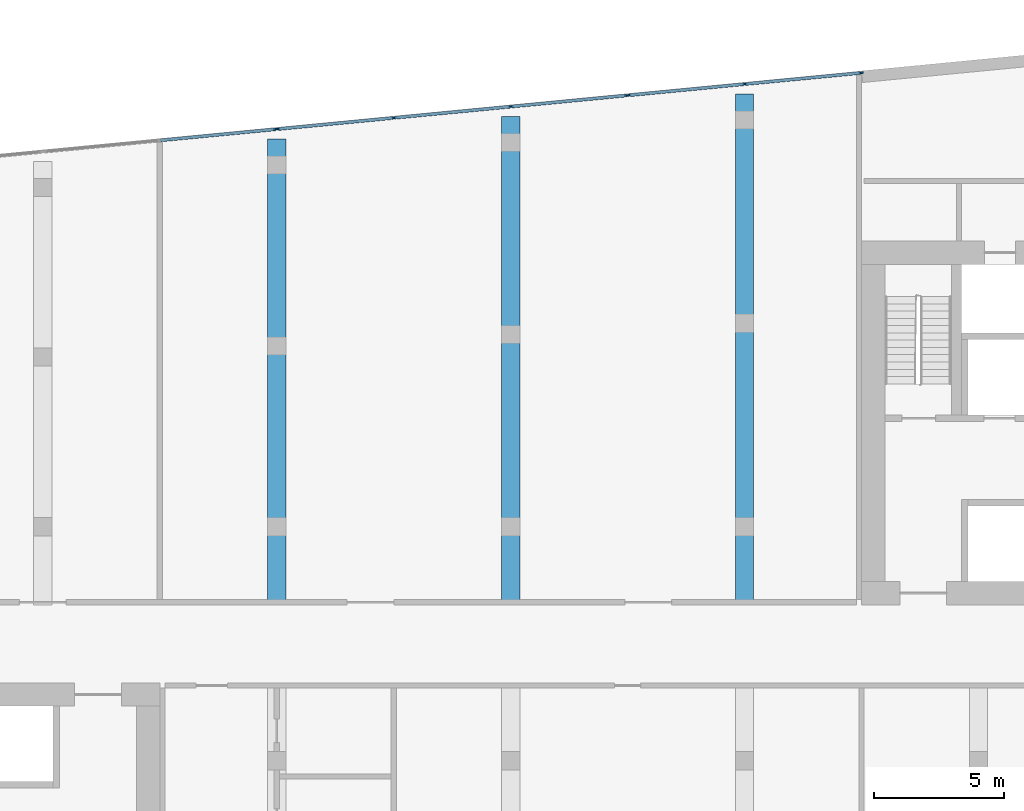
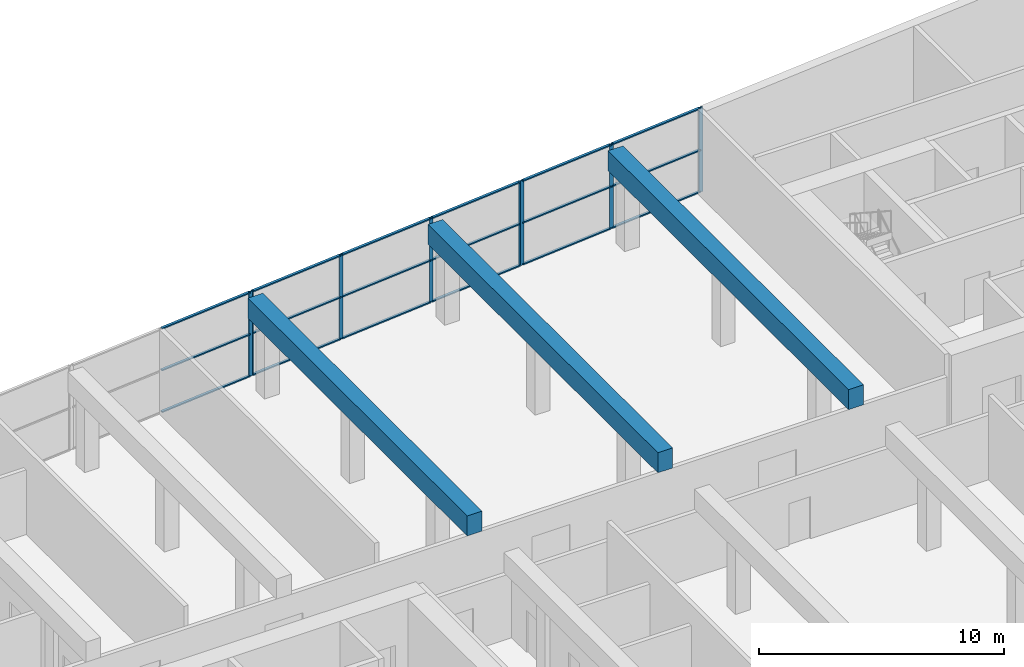
# One storey, part 7 of 21: 26 members, 3 beams, 3 elements without a shape of their own.
"""IFC4 building model written with IfcOpenShell, lengths in metres."""

from ifc_helpers import new_model, si_unit, direction, frame, origin, origin_2d, place, context, subcontext, project, spatial, rectangle, extrude, material, material_profile, profile_set, type_object, element, aggregate, save


model = new_model("IFC4")

# Units and contexts
model_context = context("Model", 3, precision=1e-05, world=origin(), true_north=direction((0.0, 1.0)))
body_context = subcontext(model_context, "Body", "Model", "MODEL_VIEW")
ifc_project = project(units=[si_unit("LENGTHUNIT", "METRE"), si_unit("AREAUNIT", "SQUARE_METRE"), si_unit("VOLUMEUNIT", "CUBIC_METRE"), si_unit("PLANEANGLEUNIT", "RADIAN"), si_unit("MASSUNIT", "GRAM", prefix="KILO")], contexts=[model_context])

# Site, building, storey
site_placement = place(None, origin())
site = spatial("IfcSite", under=ifc_project, at=site_placement, CompositionType="ELEMENT")
building_placement = place(site_placement, origin())
building = spatial("IfcBuilding", under=site, at=building_placement, Name="Kajstack Hotel Tower", CompositionType="ELEMENT")
storey_placement = place(building_placement, frame((0.0, 0.0, 162.39990234375)))
storey = spatial("IfcBuildingStorey", under=building, at=storey_placement, Name="L37", CompositionType="ELEMENT", Elevation=162.39990234375)

# Curtain wall, members
ifc_material_1 = material(Name="Aluminium-framed curtain wall, insulated glass with fritted edge", Category="aluminium")
curtain_wall_type = type_object("IfcCurtainWallType", Name="CW-SPA", PredefinedType="NOTDEFINED", material=ifc_material_1)
curtain_wall_1_placement = place(storey_placement, origin())
curtain_wall_1 = element("IfcCurtainWall", 1, at=curtain_wall_1_placement, inside=storey, type_object=curtain_wall_type, Name="Curtain wall CU7 L37-12-02-0", PredefinedType="NOTDEFINED")
ifc_material_2 = material(Name="Aluminium", Category="aluminium")
ifc_material_profile_1 = material_profile(ifc_material_2, rectangle(XDim=0.06005859375, YDim=0.179931640625, at=origin_2d()), Name="Aluminium mullion 60 x 180")
ifc_profile_set_1 = profile_set([ifc_material_profile_1], Name="Aluminium")
member_type_1 = type_object("IfcMemberType", Name="CW-M-SPA", PredefinedType="MULLION", material=ifc_profile_set_1)
member_1_placement = place(storey_placement, frame((13.477294921875, 21.9638671875, 0.0), z_axis=(0.0, 0.0, 1.0), x_axis=(0.095845332373, -0.995396238823, 0.0)))
member_1 = element("IfcMember", 2, at=member_1_placement, type_object=member_type_1, Name="CU7 mullion 1", PredefinedType="MULLION", context=body_context, shape_type="SweptSolid", body=[
    extrude(rectangle(XDim=0.06005859375, YDim=0.179931640625, at=origin_2d()), origin(), (0.0, 0.0, 1.0), 4.22021484375),
])
member_2_placement = place(storey_placement, frame((9.007080078125, 21.533447265625, 0.0), z_axis=(0.0, 0.0, 1.0), x_axis=(0.095845332373, -0.995396238823, 0.0)))
member_2 = element("IfcMember", 3, at=member_2_placement, type_object=member_type_1, Name="CU7 mullion 2", PredefinedType="MULLION", context=body_context, shape_type="SweptSolid", body=[
    extrude(rectangle(XDim=0.06005859375, YDim=0.179931640625, at=origin_2d()), origin(), (0.0, 0.0, 1.0), 4.22021484375),
])
member_3_placement = place(storey_placement, frame((4.537109375, 21.10302734375, 0.0), z_axis=(0.0, 0.0, 1.0), x_axis=(0.095845332373, -0.995396238823, 0.0)))
member_3 = element("IfcMember", 4, at=member_3_placement, type_object=member_type_1, Name="CU7 mullion 3", PredefinedType="MULLION", context=body_context, shape_type="SweptSolid", body=[
    extrude(rectangle(XDim=0.06005859375, YDim=0.179931640625, at=origin_2d()), origin(), (0.0, 0.0, 1.0), 4.22021484375),
])

curtain_wall_2_placement = place(storey_placement, origin())
curtain_wall_2 = element("IfcCurtainWall", 5, at=curtain_wall_2_placement, inside=storey, type_object=curtain_wall_type, Name="Curtain wall CU7 L37-12-02-1", PredefinedType="NOTDEFINED")
member_4_placement = place(storey_placement, frame((4.477294921875, 21.097412109375, 0.0), z_axis=(0.0, 0.0, 1.0), x_axis=(0.095845372418, -0.995396234967, 0.0)))
member_4 = element("IfcMember", 6, at=member_4_placement, type_object=member_type_1, Name="CU7 mullion 1", PredefinedType="MULLION", context=body_context, shape_type="SweptSolid", body=[
    extrude(rectangle(XDim=0.06005859375, YDim=0.179931640625, at=origin_2d()), origin(), (0.0, 0.0, 1.0), 4.22021484375),
])
member_5_placement = place(storey_placement, frame((0.007080078125, 20.6669921875, 0.0), z_axis=(0.0, 0.0, 1.0), x_axis=(0.095845372418, -0.995396234967, 0.0)))
member_5 = element("IfcMember", 7, at=member_5_placement, type_object=member_type_1, Name="CU7 mullion 2", PredefinedType="MULLION", context=body_context, shape_type="SweptSolid", body=[
    extrude(rectangle(XDim=0.06005859375, YDim=0.179931640625, at=origin_2d()), origin(), (0.0, 0.0, 1.0), 4.22021484375),
])
member_6_placement = place(storey_placement, frame((-4.49267578125, 20.233642578125, 0.0), z_axis=(0.0, 0.0, 1.0), x_axis=(0.095845372418, -0.995396234967, 0.0)))
member_6 = element("IfcMember", 8, at=member_6_placement, type_object=member_type_1, Name="CU7 mullion 3", PredefinedType="MULLION", context=body_context, shape_type="SweptSolid", body=[
    extrude(rectangle(XDim=0.06005859375, YDim=0.179931640625, at=origin_2d()), origin(), (0.0, 0.0, 1.0), 4.22021484375),
])
member_7_placement = place(storey_placement, frame((-8.962890625, 19.80322265625, 0.0), z_axis=(0.0, 0.0, 1.0), x_axis=(0.095845372418, -0.995396234967, 0.0)))
member_7 = element("IfcMember", 9, at=member_7_placement, type_object=member_type_1, Name="CU7 mullion 4", PredefinedType="MULLION", context=body_context, shape_type="SweptSolid", body=[
    extrude(rectangle(XDim=0.06005859375, YDim=0.179931640625, at=origin_2d()), origin(), (0.0, 0.0, 1.0), 4.22021484375),
])

# Curtain wall, member
curtain_wall_3_placement = place(storey_placement, origin())
curtain_wall_3 = element("IfcCurtainWall", 10, at=curtain_wall_3_placement, inside=storey, type_object=curtain_wall_type, Name="Curtain wall CU7 L37-12-02-2", PredefinedType="NOTDEFINED")
member_8_placement = place(storey_placement, frame((-9.022705078125, 19.79736328125, 0.0), z_axis=(0.0, 0.0, 1.0), x_axis=(0.095845342936, -0.995396237806, 0.0)))
member_8 = element("IfcMember", 11, at=member_8_placement, type_object=member_type_1, Name="CU7 mullion 1", PredefinedType="MULLION", context=body_context, shape_type="SweptSolid", body=[
    extrude(rectangle(XDim=0.06005859375, YDim=0.179931640625, at=origin_2d()), origin(), (0.0, 0.0, 1.0), 4.22021484375),
])

# Member
ifc_material_profile_2 = material_profile(ifc_material_2, rectangle(XDim=0.1201171875, YDim=0.06005859375, at=origin_2d()), Name="Aluminium transom 120 x 60")
ifc_profile_set_2 = profile_set([ifc_material_profile_2], Name="Aluminium")
member_type_2 = type_object("IfcMemberType", Name="CW-T-SPA", PredefinedType="USERDEFINED", material=ifc_profile_set_2)
member_9_placement = place(storey_placement, frame((13.447509765625, 21.9609375, 0.030029296875), z_axis=(-0.995398624916, -0.095820548504, 0.0), x_axis=(0.095820548504, -0.995398624916, 0.0)))
member_9 = element("IfcMember", 12, at=member_9_placement, type_object=member_type_2, Name="CU7 transom 1.1", ObjectType="TRANSOM", PredefinedType="USERDEFINED", context=body_context, shape_type="SweptSolid", body=[
    extrude(rectangle(XDim=0.1201171875, YDim=0.06005859375, at=origin_2d()), origin(), (0.0, 0.0, 1.0), 4.430908203125),
])

member_10_placement = place(storey_placement, frame((13.447509765625, 21.9609375, 2.110107421875), z_axis=(-0.995398624916, -0.095820548504, 0.0), x_axis=(0.095820548504, -0.995398624916, 0.0)))
member_10 = element("IfcMember", 13, at=member_10_placement, type_object=member_type_2, Name="CU7 transom 1.2", ObjectType="TRANSOM", PredefinedType="USERDEFINED", context=body_context, shape_type="SweptSolid", body=[
    extrude(rectangle(XDim=0.1201171875, YDim=0.06005859375, at=origin_2d()), origin(), (0.0, 0.0, 1.0), 4.430908203125),
])

member_11_placement = place(storey_placement, frame((13.447509765625, 21.9609375, 4.190185546875), z_axis=(-0.995398624916, -0.095820548504, 0.0), x_axis=(0.095820548504, -0.995398624916, 0.0)))
member_11 = element("IfcMember", 14, at=member_11_placement, type_object=member_type_2, Name="CU7 transom 1.3", ObjectType="TRANSOM", PredefinedType="USERDEFINED", context=body_context, shape_type="SweptSolid", body=[
    extrude(rectangle(XDim=0.1201171875, YDim=0.06005859375, at=origin_2d()), origin(), (0.0, 0.0, 1.0), 4.430908203125),
])

member_12_placement = place(storey_placement, frame((8.977294921875, 21.530517578125, 0.030029296875), z_axis=(-0.995398624916, -0.095820548504, 0.0), x_axis=(0.095820548504, -0.995398624916, 0.0)))
member_12 = element("IfcMember", 15, at=member_12_placement, type_object=member_type_2, Name="CU7 transom 2.1", ObjectType="TRANSOM", PredefinedType="USERDEFINED", context=body_context, shape_type="SweptSolid", body=[
    extrude(rectangle(XDim=0.1201171875, YDim=0.06005859375, at=origin_2d()), origin(), (0.0, 0.0, 1.0), 4.430908203125),
])

member_13_placement = place(storey_placement, frame((8.977294921875, 21.530517578125, 2.110107421875), z_axis=(-0.995398624916, -0.095820548504, 0.0), x_axis=(0.095820548504, -0.995398624916, 0.0)))
member_13 = element("IfcMember", 16, at=member_13_placement, type_object=member_type_2, Name="CU7 transom 2.2", ObjectType="TRANSOM", PredefinedType="USERDEFINED", context=body_context, shape_type="SweptSolid", body=[
    extrude(rectangle(XDim=0.1201171875, YDim=0.06005859375, at=origin_2d()), origin(), (0.0, 0.0, 1.0), 4.430908203125),
])

member_14_placement = place(storey_placement, frame((8.977294921875, 21.530517578125, 4.190185546875), z_axis=(-0.995398624916, -0.095820548504, 0.0), x_axis=(0.095820548504, -0.995398624916, 0.0)))
member_14 = element("IfcMember", 17, at=member_14_placement, type_object=member_type_2, Name="CU7 transom 2.3", ObjectType="TRANSOM", PredefinedType="USERDEFINED", context=body_context, shape_type="SweptSolid", body=[
    extrude(rectangle(XDim=0.1201171875, YDim=0.06005859375, at=origin_2d()), origin(), (0.0, 0.0, 1.0), 4.430908203125),
])

aggregate(curtain_wall_1, [member_1, member_2, member_3, member_9, member_10, member_11, member_12, member_13, member_14])

member_15_placement = place(storey_placement, frame((4.447509765625, 21.094482421875, 0.030029296875), z_axis=(-0.995393367938, -0.095875143106, 0.0), x_axis=(0.095875143106, -0.995393367938, 0.0)))
member_15 = element("IfcMember", 18, at=member_15_placement, type_object=member_type_2, Name="CU7 transom 1.1", ObjectType="TRANSOM", PredefinedType="USERDEFINED", context=body_context, shape_type="SweptSolid", body=[
    extrude(rectangle(XDim=0.1201171875, YDim=0.06005859375, at=origin_2d()), origin(), (0.0, 0.0, 1.0), 4.430908203125),
])

member_16_placement = place(storey_placement, frame((4.447509765625, 21.094482421875, 2.110107421875), z_axis=(-0.995393367938, -0.095875143106, 0.0), x_axis=(0.095875143106, -0.995393367938, 0.0)))
member_16 = element("IfcMember", 19, at=member_16_placement, type_object=member_type_2, Name="CU7 transom 1.2", ObjectType="TRANSOM", PredefinedType="USERDEFINED", context=body_context, shape_type="SweptSolid", body=[
    extrude(rectangle(XDim=0.1201171875, YDim=0.06005859375, at=origin_2d()), origin(), (0.0, 0.0, 1.0), 4.430908203125),
])

member_17_placement = place(storey_placement, frame((4.447509765625, 21.094482421875, 4.190185546875), z_axis=(-0.995393367938, -0.095875143106, 0.0), x_axis=(0.095875143106, -0.995393367938, 0.0)))
member_17 = element("IfcMember", 20, at=member_17_placement, type_object=member_type_2, Name="CU7 transom 1.3", ObjectType="TRANSOM", PredefinedType="USERDEFINED", context=body_context, shape_type="SweptSolid", body=[
    extrude(rectangle(XDim=0.1201171875, YDim=0.06005859375, at=origin_2d()), origin(), (0.0, 0.0, 1.0), 4.430908203125),
])

member_18_placement = place(storey_placement, frame((-0.022705078125, 20.6640625, 0.030029296875), z_axis=(-0.995397289199, -0.095834423126, 0.0), x_axis=(0.095834423126, -0.995397289199, 0.0)))
member_18 = element("IfcMember", 21, at=member_18_placement, type_object=member_type_2, Name="CU7 transom 2.1", ObjectType="TRANSOM", PredefinedType="USERDEFINED", context=body_context, shape_type="SweptSolid", body=[
    extrude(rectangle(XDim=0.1201171875, YDim=0.06005859375, at=origin_2d()), origin(), (0.0, 0.0, 1.0), 4.460693359375),
])

member_19_placement = place(storey_placement, frame((-0.022705078125, 20.6640625, 2.110107421875), z_axis=(-0.995397289199, -0.095834423126, 0.0), x_axis=(0.095834423126, -0.995397289199, 0.0)))
member_19 = element("IfcMember", 22, at=member_19_placement, type_object=member_type_2, Name="CU7 transom 2.2", ObjectType="TRANSOM", PredefinedType="USERDEFINED", context=body_context, shape_type="SweptSolid", body=[
    extrude(rectangle(XDim=0.1201171875, YDim=0.06005859375, at=origin_2d()), origin(), (0.0, 0.0, 1.0), 4.460693359375),
])

member_20_placement = place(storey_placement, frame((-0.022705078125, 20.6640625, 4.190185546875), z_axis=(-0.995397289199, -0.095834423126, 0.0), x_axis=(0.095834423126, -0.995397289199, 0.0)))
member_20 = element("IfcMember", 23, at=member_20_placement, type_object=member_type_2, Name="CU7 transom 2.3", ObjectType="TRANSOM", PredefinedType="USERDEFINED", context=body_context, shape_type="SweptSolid", body=[
    extrude(rectangle(XDim=0.1201171875, YDim=0.06005859375, at=origin_2d()), origin(), (0.0, 0.0, 1.0), 4.460693359375),
])

member_21_placement = place(storey_placement, frame((-4.522705078125, 20.230712890625, 0.030029296875), z_axis=(-0.995398624916, -0.095820548504, 0.0), x_axis=(0.095820548504, -0.995398624916, 0.0)))
member_21 = element("IfcMember", 24, at=member_21_placement, type_object=member_type_2, Name="CU7 transom 3.1", ObjectType="TRANSOM", PredefinedType="USERDEFINED", context=body_context, shape_type="SweptSolid", body=[
    extrude(rectangle(XDim=0.1201171875, YDim=0.06005859375, at=origin_2d()), origin(), (0.0, 0.0, 1.0), 4.430908203125),
])

member_22_placement = place(storey_placement, frame((-4.522705078125, 20.230712890625, 2.110107421875), z_axis=(-0.995398624916, -0.095820548504, 0.0), x_axis=(0.095820548504, -0.995398624916, 0.0)))
member_22 = element("IfcMember", 25, at=member_22_placement, type_object=member_type_2, Name="CU7 transom 3.2", ObjectType="TRANSOM", PredefinedType="USERDEFINED", context=body_context, shape_type="SweptSolid", body=[
    extrude(rectangle(XDim=0.1201171875, YDim=0.06005859375, at=origin_2d()), origin(), (0.0, 0.0, 1.0), 4.430908203125),
])

member_23_placement = place(storey_placement, frame((-4.522705078125, 20.230712890625, 4.190185546875), z_axis=(-0.995398624916, -0.095820548504, 0.0), x_axis=(0.095820548504, -0.995398624916, 0.0)))
member_23 = element("IfcMember", 26, at=member_23_placement, type_object=member_type_2, Name="CU7 transom 3.3", ObjectType="TRANSOM", PredefinedType="USERDEFINED", context=body_context, shape_type="SweptSolid", body=[
    extrude(rectangle(XDim=0.1201171875, YDim=0.06005859375, at=origin_2d()), origin(), (0.0, 0.0, 1.0), 4.430908203125),
])

aggregate(curtain_wall_2, [member_4, member_5, member_6, member_7, member_15, member_16, member_17, member_18, member_19, member_20, member_21, member_22, member_23])

member_24_placement = place(storey_placement, frame((-9.052490234375, 19.79443359375, 0.030029296875), z_axis=(-0.995398624916, -0.095820548504, 0.0), x_axis=(0.095820548504, -0.995398624916, 0.0)))
member_24 = element("IfcMember", 27, at=member_24_placement, type_object=member_type_2, Name="CU7 transom 1.1", ObjectType="TRANSOM", PredefinedType="USERDEFINED", context=body_context, shape_type="SweptSolid", body=[
    extrude(rectangle(XDim=0.1201171875, YDim=0.06005859375, at=origin_2d()), origin(), (0.0, 0.0, 1.0), 4.430908203125),
])

member_25_placement = place(storey_placement, frame((-9.052490234375, 19.79443359375, 2.110107421875), z_axis=(-0.995398624916, -0.095820548504, 0.0), x_axis=(0.095820548504, -0.995398624916, 0.0)))
member_25 = element("IfcMember", 28, at=member_25_placement, type_object=member_type_2, Name="CU7 transom 1.2", ObjectType="TRANSOM", PredefinedType="USERDEFINED", context=body_context, shape_type="SweptSolid", body=[
    extrude(rectangle(XDim=0.1201171875, YDim=0.06005859375, at=origin_2d()), origin(), (0.0, 0.0, 1.0), 4.430908203125),
])

member_26_placement = place(storey_placement, frame((-9.052490234375, 19.79443359375, 4.190185546875), z_axis=(-0.995398624916, -0.095820548504, 0.0), x_axis=(0.095820548504, -0.995398624916, 0.0)))
member_26 = element("IfcMember", 29, at=member_26_placement, type_object=member_type_2, Name="CU7 transom 1.3", ObjectType="TRANSOM", PredefinedType="USERDEFINED", context=body_context, shape_type="SweptSolid", body=[
    extrude(rectangle(XDim=0.1201171875, YDim=0.06005859375, at=origin_2d()), origin(), (0.0, 0.0, 1.0), 4.430908203125),
])

aggregate(curtain_wall_3, [member_8, member_24, member_25, member_26])

# Beams
ifc_material_3 = material(Name="Concrete C60/75", Category="concrete")
ifc_material_profile_3 = material_profile(ifc_material_3, rectangle(XDim=0.699951171875, YDim=1.0, at=origin_2d()), Name="RC 700x1000")
ifc_profile_set_3 = profile_set([ifc_material_profile_3], Name="Concrete C60/75")
beam_type = type_object("IfcBeamType", Name="TG3 RC 700x1000 C60/75", PredefinedType="BEAM", material=ifc_profile_set_3)
beam_1_placement = place(storey_placement, frame((-9.0, 1.5, 3.72021484375), z_axis=(0.0, 1.0, 0.0), x_axis=(-1.0, 0.0, 0.0)))
element("IfcBeam", 30, at=beam_1_placement, inside=storey, type_object=beam_type, Name="S-girder-L37--9p0-2", PredefinedType="BEAM", context=body_context, shape_type="SweptSolid", body=[
    extrude(rectangle(XDim=0.699951171875, YDim=1.0, at=origin_2d()), origin(), (0.0, 0.0, 1.0), 17.9228515625),
])
beam_2_placement = place(storey_placement, frame((0.0, 1.5, 3.72021484375), z_axis=(0.0, 1.0, 0.0), x_axis=(-1.0, 0.0, 0.0)))
element("IfcBeam", 31, at=beam_2_placement, inside=storey, type_object=beam_type, Name="S-girder-L37-+0p0-2", PredefinedType="BEAM", context=body_context, shape_type="SweptSolid", body=[
    extrude(rectangle(XDim=0.699951171875, YDim=1.0, at=origin_2d()), origin(), (0.0, 0.0, 1.0), 18.78955078125),
])
beam_3_placement = place(storey_placement, frame((9.0, 1.5, 3.72021484375), z_axis=(0.0, 1.0, 0.0), x_axis=(-1.0, 0.0, 0.0)))
element("IfcBeam", 32, at=beam_3_placement, inside=storey, type_object=beam_type, Name="S-girder-L37-+9p0-2", PredefinedType="BEAM", context=body_context, shape_type="SweptSolid", body=[
    extrude(rectangle(XDim=0.699951171875, YDim=1.0, at=origin_2d()), origin(), (0.0, 0.0, 1.0), 19.656005859375),
])

save(model, "model.ifc")
